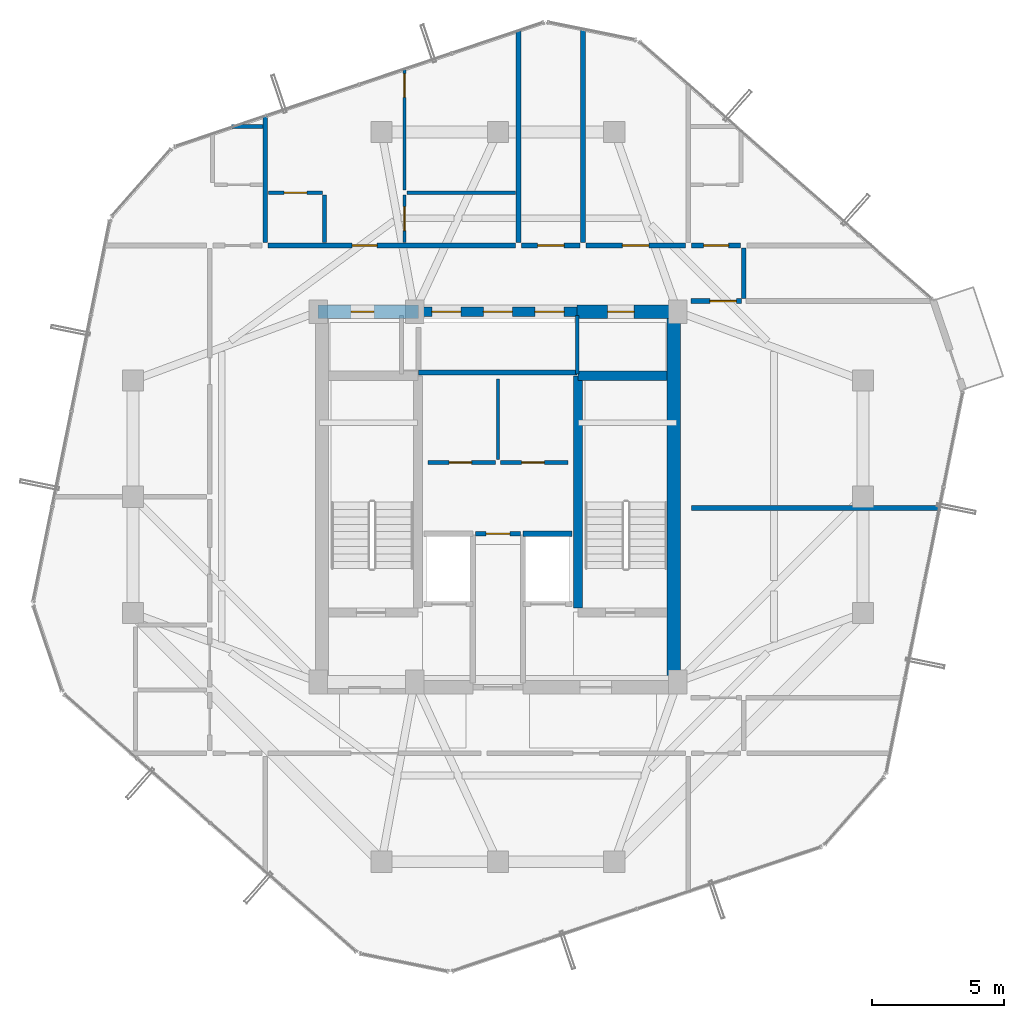
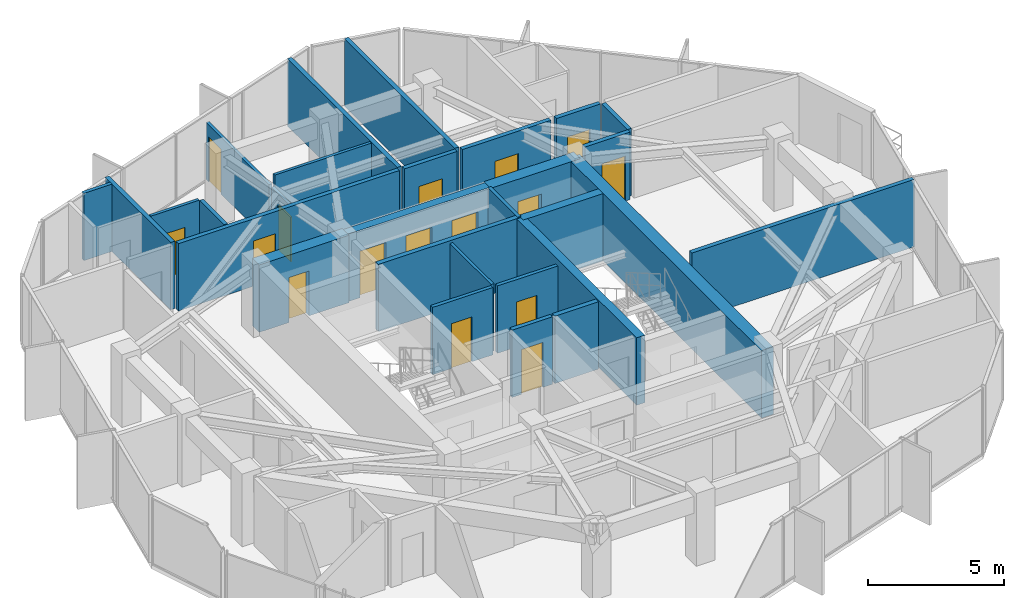
# One storey, part 25 of 28: 29 walls, 16 doors, 16 openings.
"""IFC4 building model written with IfcOpenShell, lengths in metres."""

from ifc_helpers import new_model, si_unit, direction, frame, frame_2d, origin, place, context, subcontext, project, spatial, rectangle, extrude, source, transform, mapped, material, layer, layer_set, type_object, element, fill, save


model = new_model("IFC4")

# Units and contexts
model_context = context("Model", 3, precision=1e-05, world=origin(), true_north=direction((0.0, 1.0)))
body_context = subcontext(model_context, "Body", "Model", "MODEL_VIEW")
ifc_project = project(units=[si_unit("LENGTHUNIT", "METRE"), si_unit("AREAUNIT", "SQUARE_METRE"), si_unit("VOLUMEUNIT", "CUBIC_METRE"), si_unit("PLANEANGLEUNIT", "RADIAN"), si_unit("MASSUNIT", "GRAM", prefix="KILO")], contexts=[model_context])

# Site, building, storey
site_placement = place(None, origin())
site = spatial("IfcSite", under=ifc_project, at=site_placement, CompositionType="ELEMENT")
building_placement = place(site_placement, origin())
building = spatial("IfcBuilding", under=site, at=building_placement, Name="Veraguas Prism Commons", CompositionType="ELEMENT")
storey_placement = place(building_placement, frame((0.0, 0.0, 248.0)))
storey = spatial("IfcBuildingStorey", under=building, at=storey_placement, Name="L70", CompositionType="ELEMENT", Elevation=248.0)

# Wall, openings, doors
ifc_material_1 = material(Name="Concrete C50/60", Category="concrete")
ifc_layer_1 = layer(ifc_material_1, 0.35009765625, Name="Core Internal Shear Wall Upper RC 350", Category="concrete")
ifc_layer_set_1 = layer_set([ifc_layer_1], Name="Concrete C50/60")
wall_type_1 = type_object("IfcWallType", Name="Core Internal Shear Wall Upper RC 350", PredefinedType="SHEAR", material=ifc_layer_set_1)
wall_1_placement = place(storey_placement, frame((21.0, 31.0, 0.0), z_axis=(0.0, 0.0, 1.0), x_axis=(1.0, 0.0, 0.0)))
wall_1 = element("IfcWall", 1, at=wall_1_placement, inside=storey, type_object=wall_type_1, Name="High-Rise Lift Bank Front Shear Wall L70", PredefinedType="SHEAR", context=body_context, shape_type="SweptSolid", body=[
    extrude(rectangle(XDim=6.0, YDim=0.35009765625, at=frame_2d((3.0, 0.0))), origin(), (0.0, 0.0, 1.0), 3.014892578125),
])
opening_1_placement = place(wall_1_placement, frame((0.5, 0.0, 0.0)))
opening_1 = element("IfcOpeningElement", 2, at=opening_1_placement, cuts=wall_1, Name="Opening LD-01", PredefinedType="OPENING", context=body_context, shape_type="SweptSolid", body=[
    extrude(rectangle(XDim=1.10009765625, YDim=2.080078125, at=frame_2d((0.550048828125, 1.0400390625))), frame((0.0, 0.18505859375, 0.0), z_axis=(0.0, -1.0, 0.0), x_axis=(1.0, 0.0, 0.0)), (0.0, 0.0, 1.0), 0.3701171875),
])
opening_2_placement = place(wall_1_placement, frame((2.449951171875, 0.0, 0.0)))
opening_2 = element("IfcOpeningElement", 3, at=opening_2_placement, cuts=wall_1, Name="Opening LD-01", PredefinedType="OPENING", context=body_context, shape_type="SweptSolid", body=[
    extrude(rectangle(XDim=1.10009765625, YDim=2.080078125, at=frame_2d((0.550048828125, 1.0400390625))), frame((0.0, 0.18505859375, 0.0), z_axis=(0.0, -1.0, 0.0), x_axis=(1.0, 0.0, 0.0)), (0.0, 0.0, 1.0), 0.3701171875),
])
opening_3_placement = place(wall_1_placement, frame((4.39990234375, 0.0, 0.0)))
opening_3 = element("IfcOpeningElement", 4, at=opening_3_placement, cuts=wall_1, Name="Opening LD-01", PredefinedType="OPENING", context=body_context, shape_type="SweptSolid", body=[
    extrude(rectangle(XDim=1.10009765625, YDim=2.080078125, at=frame_2d((0.550048828125, 1.0400390625))), frame((0.0, 0.18505859375, 0.0), z_axis=(0.0, -1.0, 0.0), x_axis=(1.0, 0.0, 0.0)), (0.0, 0.0, 1.0), 0.3701171875),
])
ifc_material_2 = material(Name="Stainless steel AISI 316", Category="steel")
door_type_1 = type_object("IfcDoorType", Name="Passenger Lift Sliding Landing Door 1100x2080", OperationType="NOTDEFINED", PredefinedType="DOOR", material=ifc_material_2)
shared_shape_1 = source(origin(), body_context, "Body", "SweptSolid", [
    extrude(rectangle(XDim=1.10009765625, YDim=2.080078125, at=frame_2d((0.550048828125, 1.0400390625))), frame((0.0, 0.02490234375, 0.0), z_axis=(0.0, -1.0, 0.0), x_axis=(1.0, 0.0, 0.0)), (0.0, 0.0, 1.0), 0.050048828125),
])
door_1_placement = place(opening_1_placement, origin())
door_1 = element("IfcDoor", 5, at=door_1_placement, inside=storey, type_object=door_type_1, Name="Sliding Landing Door PL-H1 L70", OperationType="SLIDING_TO_LEFT", OverallHeight=2.080078125, OverallWidth=1.10009765625, PredefinedType="DOOR", context=body_context, shape_type="MappedRepresentation", body=[
    mapped(shared_shape_1, transform((0.0, 0.0, 0.0), scale=1.0)),
])
fill(opening_1, door_1)
door_2_placement = place(opening_2_placement, origin())
door_2 = element("IfcDoor", 6, at=door_2_placement, inside=storey, type_object=door_type_1, Name="Sliding Landing Door PL-H2 L70", OperationType="SLIDING_TO_LEFT", OverallHeight=2.080078125, OverallWidth=1.10009765625, PredefinedType="DOOR", context=body_context, shape_type="MappedRepresentation", body=[
    mapped(shared_shape_1, transform((0.0, 0.0, 0.0), scale=1.0)),
])
fill(opening_2, door_2)
door_3_placement = place(opening_3_placement, origin())
door_3 = element("IfcDoor", 7, at=door_3_placement, inside=storey, type_object=door_type_1, Name="Sliding Landing Door PL-H3 L70", OperationType="SLIDING_TO_LEFT", OverallHeight=2.080078125, OverallWidth=1.10009765625, PredefinedType="DOOR", context=body_context, shape_type="MappedRepresentation", body=[
    mapped(shared_shape_1, transform((0.0, 0.0, 0.0), scale=1.0)),
])
fill(opening_3, door_3)

# Walls
wall_2_placement = place(storey_placement, frame((27.02490234375, 19.800048828125, 0.0), z_axis=(0.0, 0.0, 1.0), x_axis=(0.0, 1.0, 0.0)))
element("IfcWall", 8, at=wall_2_placement, inside=storey, type_object=wall_type_1, Name="Stair ST-02 Inner Shear Wall L70", PredefinedType="SHEAR", context=body_context, shape_type="SweptSolid", body=[
    extrude(rectangle(XDim=8.77490234375, YDim=0.35009765625, at=frame_2d((4.387451171875, 0.0))), origin(), (0.0, 0.0, 1.0), 3.014892578125),
])
wall_3_placement = place(storey_placement, frame((27.02490234375, 28.574951171875, 0.0), z_axis=(0.0, 0.0, 1.0), x_axis=(1.0, 0.0, 0.0)))
element("IfcWall", 9, at=wall_3_placement, inside=storey, type_object=wall_type_1, Name="Stair ST-02 North Shear Wall L70", PredefinedType="SHEAR", context=body_context, shape_type="SweptSolid", body=[
    extrude(rectangle(XDim=3.375, YDim=0.35009765625, at=frame_2d((1.6875, 0.0))), origin(), (0.0, 0.0, 1.0), 3.014892578125),
])
ifc_layer_2 = layer(ifc_material_1, 0.5, Name="Core Outer Shear Wall Upper RC 500", Category="concrete")
ifc_layer_set_2 = layer_set([ifc_layer_2], Name="Concrete C50/60")
wall_type_2 = type_object("IfcWallType", Name="Core Outer Shear Wall Upper RC 500", PredefinedType="SHEAR", material=ifc_layer_set_2)
wall_4_placement = place(storey_placement, frame((30.64990234375, 16.800048828125, 0.0), z_axis=(0.0, 0.0, 1.0), x_axis=(0.0, 1.0, 0.0)))
element("IfcWall", 10, at=wall_4_placement, inside=storey, type_object=wall_type_2, Name="Central Core East Shear Wall L70", PredefinedType="SHEAR", context=body_context, shape_type="SweptSolid", body=[
    extrude(rectangle(XDim=14.199951171875, YDim=0.5, at=frame_2d((7.10009765625, 0.0))), origin(), (0.0, 0.0, 1.0), 3.014892578125),
])

# Wall, opening, door
wall_5_placement = place(storey_placement, frame((17.199951171875, 31.0, 0.0), z_axis=(0.0, 0.0, 1.0), x_axis=(1.0, 0.0, 0.0)))
wall_5 = element("IfcWall", 11, at=wall_5_placement, inside=storey, type_object=wall_type_2, Name="Central Core North-West Shear Wall L70", PredefinedType="SHEAR", context=body_context, shape_type="SweptSolid", body=[
    extrude(rectangle(XDim=3.800048828125, YDim=0.5, at=frame_2d((1.89990234375, 0.0))), origin(), (0.0, 0.0, 1.0), 3.014892578125),
])
opening_4_placement = place(wall_5_placement, frame((1.25, 0.0, 0.0)))
opening_4 = element("IfcOpeningElement", 12, at=opening_4_placement, cuts=wall_5, Name="Opening DR-12", PredefinedType="OPENING", context=body_context, shape_type="SweptSolid", body=[
    extrude(rectangle(XDim=0.860107421875, YDim=2.010009765625, at=frame_2d((0.43017578125, 1.0048828125))), frame((0.0, 0.260009765625, 0.0), z_axis=(0.0, -1.0, 0.0), x_axis=(1.0, 0.0, 0.0)), (0.0, 0.0, 1.0), 0.52001953125),
])
ifc_material_3 = material(Name="Steel fire-rated door assembly", Category="steel")
door_type_2 = type_object("IfcDoorType", Name="Core WC Fire Door 860x2010", OperationType="NOTDEFINED", PredefinedType="DOOR", material=ifc_material_3)
shared_shape_2 = source(origin(), body_context, "Body", "SweptSolid", [
    extrude(rectangle(XDim=0.860107421875, YDim=2.010009765625, at=frame_2d((0.43017578125, 1.0048828125))), frame((0.0, 0.02490234375, 0.0), z_axis=(0.0, -1.0, 0.0), x_axis=(1.0, 0.0, 0.0)), (0.0, 0.0, 1.0), 0.050048828125),
])
door_4_placement = place(opening_4_placement, origin())
door_4 = element("IfcDoor", 13, at=door_4_placement, inside=storey, type_object=door_type_2, Name="Core NW Service Door L70", OperationType="SINGLE_SWING_RIGHT", OverallHeight=2.010009765625, OverallWidth=0.860107421875, PredefinedType="DOOR", context=body_context, shape_type="MappedRepresentation", body=[
    mapped(shared_shape_2, transform((0.0, 0.0, 0.0), scale=1.0)),
])
fill(opening_4, door_4)

wall_6_placement = place(storey_placement, frame((27.0, 31.0, 0.0), z_axis=(0.0, 0.0, 1.0), x_axis=(1.0, 0.0, 0.0)))
wall_6 = element("IfcWall", 14, at=wall_6_placement, inside=storey, type_object=wall_type_2, Name="Central Core North-East Shear Wall L70", PredefinedType="SHEAR", context=body_context, shape_type="SweptSolid", body=[
    extrude(rectangle(XDim=3.800048828125, YDim=0.5, at=frame_2d((1.89990234375, 0.0))), origin(), (0.0, 0.0, 1.0), 3.014892578125),
])
opening_5_placement = place(wall_6_placement, frame((1.14990234375, 0.0, 0.0)))
opening_5 = element("IfcOpeningElement", 15, at=opening_5_placement, cuts=wall_6, Name="Opening DR-13", PredefinedType="OPENING", context=body_context, shape_type="SweptSolid", body=[
    extrude(rectangle(XDim=1.0, YDim=2.010009765625, at=frame_2d((0.5, 1.0048828125))), frame((0.0, 0.260009765625, 0.0), z_axis=(0.0, -1.0, 0.0), x_axis=(1.0, 0.0, 0.0)), (0.0, 0.0, 1.0), 0.52001953125),
])
door_type_3 = type_object("IfcDoorType", Name="Core Accessible WC and Clinic Fire Door 1000x2010", OperationType="NOTDEFINED", PredefinedType="DOOR", material=ifc_material_3)
shared_shape_3 = source(origin(), body_context, "Body", "SweptSolid", [
    extrude(rectangle(XDim=1.0, YDim=2.010009765625, at=frame_2d((0.5, 1.0048828125))), frame((0.0, 0.02490234375, 0.0), z_axis=(0.0, -1.0, 0.0), x_axis=(1.0, 0.0, 0.0)), (0.0, 0.0, 1.0), 0.050048828125),
])
door_5_placement = place(opening_5_placement, origin())
door_5 = element("IfcDoor", 16, at=door_5_placement, inside=storey, type_object=door_type_3, Name="Core NE Pantry Door L70", OperationType="SINGLE_SWING_LEFT", OverallHeight=2.010009765625, OverallWidth=1.0, PredefinedType="DOOR", context=body_context, shape_type="MappedRepresentation", body=[
    mapped(shared_shape_3, transform((0.0, 0.0, 0.0), scale=1.0)),
])
fill(opening_5, door_5)

ifc_material_4 = material(Name="Autoclaved aerated masonry block 10 MPa", Category="masonry")
ifc_layer_3 = layer(ifc_material_4, 0.179931640625, Name="Corridor and Inter-Tenancy Partition 180", Category="masonry")
ifc_layer_set_3 = layer_set([ifc_layer_3], Name="Autoclaved aerated masonry block 10 MPa")
wall_type_3 = type_object("IfcWallType", Name="Corridor and Inter-Tenancy Partition 180", PredefinedType="PARTITIONING", material=ifc_layer_set_3)
wall_7_placement = place(storey_placement, frame((23.14990234375, 22.60009765625, 0.0), z_axis=(0.0, 0.0, 1.0), x_axis=(1.0, 0.0, 0.0)))
wall_7 = element("IfcWall", 17, at=wall_7_placement, inside=storey, type_object=wall_type_3, Name="Core Suite Entry Wall L70", PredefinedType="PARTITIONING", context=body_context, shape_type="SweptSolid", body=[
    extrude(rectangle(XDim=1.7001953125, YDim=0.179931640625, at=frame_2d((0.85009765625, 0.0))), origin(), (0.0, 0.0, 1.0), 3.014892578125),
])
opening_6_placement = place(wall_7_placement, frame((0.39990234375, 0.0, 0.0)))
opening_6 = element("IfcOpeningElement", 18, at=opening_6_placement, cuts=wall_7, Name="Opening DR-14", PredefinedType="OPENING", context=body_context, shape_type="SweptSolid", body=[
    extrude(rectangle(XDim=0.89990234375, YDim=2.010009765625, at=frame_2d((0.449951171875, 1.0048828125))), frame((0.0, 0.099853515625, 0.0), z_axis=(0.0, -1.0, 0.0), x_axis=(1.0, 0.0, 0.0)), (0.0, 0.0, 1.0), 0.199951171875),
])
door_type_4 = type_object("IfcDoorType", Name="Core Service Room Fire Door 900x2010", OperationType="NOTDEFINED", PredefinedType="DOOR", material=ifc_material_3)
shared_shape_4 = source(origin(), body_context, "Body", "SweptSolid", [
    extrude(rectangle(XDim=0.89990234375, YDim=2.010009765625, at=frame_2d((0.449951171875, 1.0048828125))), frame((0.0, 0.02490234375, 0.0), z_axis=(0.0, -1.0, 0.0), x_axis=(1.0, 0.0, 0.0)), (0.0, 0.0, 1.0), 0.050048828125),
])
door_6_placement = place(opening_6_placement, origin())
door_6 = element("IfcDoor", 19, at=door_6_placement, inside=storey, type_object=door_type_4, Name="Core Suite Entry Door L70", OperationType="SINGLE_SWING_RIGHT", OverallHeight=2.010009765625, OverallWidth=0.89990234375, PredefinedType="DOOR", context=body_context, shape_type="MappedRepresentation", body=[
    mapped(shared_shape_4, transform((0.0, 0.0, 0.0), scale=1.0)),
])
fill(opening_6, door_6)

# Wall
wall_8_placement = place(storey_placement, frame((15.199951171875, 33.6201171875, 0.0), z_axis=(0.0, 0.0, 1.0), x_axis=(0.0, 1.0, 0.0)))
element("IfcWall", 20, at=wall_8_placement, inside=storey, type_object=wall_type_3, Name="WL-L70-PT005", PredefinedType="PARTITIONING", context=body_context, shape_type="SweptSolid", body=[
    extrude(rectangle(XDim=4.809814453125, YDim=0.179931640625, at=frame_2d((2.40478515625, 0.0))), origin(), (0.0, 0.0, 1.0), 3.014892578125),
])

# Wall, opening, door
wall_9_placement = place(storey_placement, frame((15.31005859375, 33.5, 0.0), z_axis=(0.0, 0.0, 1.0), x_axis=(1.0, 0.0, 0.0)))
wall_9 = element("IfcWall", 21, at=wall_9_placement, inside=storey, type_object=wall_type_3, Name="WL-L70-PT007", PredefinedType="PARTITIONING", context=body_context, shape_type="SweptSolid", body=[
    extrude(rectangle(XDim=9.35986328125, YDim=0.179931640625, at=frame_2d((4.679931640625, 0.0))), origin(), (0.0, 0.0, 1.0), 3.014892578125),
])
opening_7_placement = place(wall_9_placement, frame((3.174560546875, 0.0, 0.0)))
opening_7 = element("IfcOpeningElement", 22, at=opening_7_placement, cuts=wall_9, Name="Opening DR-01", PredefinedType="OPENING", context=body_context, shape_type="SweptSolid", body=[
    extrude(rectangle(XDim=0.949951171875, YDim=2.02001953125, at=frame_2d((0.47509765625, 1.010009765625))), frame((0.0, 0.099853515625, 0.0), z_axis=(0.0, -1.0, 0.0), x_axis=(1.0, 0.0, 0.0)), (0.0, 0.0, 1.0), 0.199951171875),
])
ifc_material_5 = material(Name="Anodised aluminium EN AW-6063 T6", Category="aluminium")
door_type_5 = type_object("IfcDoorType", Name="Apartment Entrance Fire Door 950x2020", OperationType="NOTDEFINED", PredefinedType="DOOR", material=ifc_material_5)
shared_shape_5 = source(origin(), body_context, "Body", "SweptSolid", [
    extrude(rectangle(XDim=0.949951171875, YDim=2.02001953125, at=frame_2d((0.47509765625, 1.010009765625))), frame((0.0, 0.02490234375, 0.0), z_axis=(0.0, -1.0, 0.0), x_axis=(1.0, 0.0, 0.0)), (0.0, 0.0, 1.0), 0.050048828125),
])
door_7_placement = place(opening_7_placement, origin())
door_7 = element("IfcDoor", 23, at=door_7_placement, inside=storey, type_object=door_type_5, Name="Flat 70A Entrance Door", OperationType="SINGLE_SWING_LEFT", OverallHeight=2.02001953125, OverallWidth=0.949951171875, PredefinedType="DOOR", context=body_context, shape_type="MappedRepresentation", body=[
    mapped(shared_shape_5, transform((0.0, 0.0, 0.0), scale=1.0)),
])
fill(opening_7, door_7)

# Wall
wall_10_placement = place(storey_placement, frame((24.780029296875, 33.6201171875, 0.0), z_axis=(0.0, 0.0, 1.0), x_axis=(0.0, 1.0, 0.0)))
element("IfcWall", 24, at=wall_10_placement, inside=storey, type_object=wall_type_3, Name="WL-L70-PT013", PredefinedType="PARTITIONING", context=body_context, shape_type="SweptSolid", body=[
    extrude(rectangle(XDim=8.03759765625, YDim=0.179931640625, at=frame_2d((4.018798828125, 0.0))), origin(), (0.0, 0.0, 1.0), 3.014892578125),
])

# Wall, opening, door
wall_11_placement = place(storey_placement, frame((24.889892578125, 33.5, 0.0), z_axis=(0.0, 0.0, 1.0), x_axis=(1.0, 0.0, 0.0)))
wall_11 = element("IfcWall", 25, at=wall_11_placement, inside=storey, type_object=wall_type_3, Name="WL-L70-PT014", PredefinedType="PARTITIONING", context=body_context, shape_type="SweptSolid", body=[
    extrude(rectangle(XDim=2.22021484375, YDim=0.179931640625, at=frame_2d((1.110107421875, 0.0))), origin(), (0.0, 0.0, 1.0), 3.014892578125),
])
opening_8_placement = place(wall_11_placement, frame((0.610107421875, 0.0, 0.0)))
opening_8 = element("IfcOpeningElement", 26, at=opening_8_placement, cuts=wall_11, Name="Opening DR-13", PredefinedType="OPENING", context=body_context, shape_type="SweptSolid", body=[
    extrude(rectangle(XDim=1.0, YDim=2.010009765625, at=frame_2d((0.5, 1.0048828125))), frame((0.0, 0.099853515625, 0.0), z_axis=(0.0, -1.0, 0.0), x_axis=(1.0, 0.0, 0.0)), (0.0, 0.0, 1.0), 0.199951171875),
])
door_8_placement = place(opening_8_placement, origin())
door_8 = element("IfcDoor", 27, at=door_8_placement, inside=storey, type_object=door_type_3, Name="Residents Study Room Door", OperationType="SINGLE_SWING_LEFT", OverallHeight=2.010009765625, OverallWidth=1.0, PredefinedType="DOOR", context=body_context, shape_type="MappedRepresentation", body=[
    mapped(shared_shape_3, transform((0.0, 0.0, 0.0), scale=1.0)),
])
fill(opening_8, door_8)

wall_12_placement = place(storey_placement, frame((27.330078125, 33.5, 0.0), z_axis=(0.0, 0.0, 1.0), x_axis=(1.0, 0.0, 0.0)))
wall_12 = element("IfcWall", 28, at=wall_12_placement, inside=storey, type_object=wall_type_3, Name="WL-L70-PT015", PredefinedType="PARTITIONING", context=body_context, shape_type="SweptSolid", body=[
    extrude(rectangle(XDim=3.760009765625, YDim=0.179931640625, at=frame_2d((1.8798828125, 0.0))), origin(), (0.0, 0.0, 1.0), 3.014892578125),
])
opening_9_placement = place(wall_12_placement, frame((1.3798828125, 0.0, 0.0)))
opening_9 = element("IfcOpeningElement", 29, at=opening_9_placement, cuts=wall_12, Name="Opening DR-13", PredefinedType="OPENING", context=body_context, shape_type="SweptSolid", body=[
    extrude(rectangle(XDim=1.0, YDim=2.010009765625, at=frame_2d((0.5, 1.0048828125))), frame((0.0, 0.099853515625, 0.0), z_axis=(0.0, -1.0, 0.0), x_axis=(1.0, 0.0, 0.0)), (0.0, 0.0, 1.0), 0.199951171875),
])
door_9_placement = place(opening_9_placement, origin())
door_9 = element("IfcDoor", 30, at=door_9_placement, inside=storey, type_object=door_type_3, Name="Co-op Store N Door", OperationType="SINGLE_SWING_RIGHT", OverallHeight=2.010009765625, OverallWidth=1.0, PredefinedType="DOOR", context=body_context, shape_type="MappedRepresentation", body=[
    mapped(shared_shape_3, transform((0.0, 0.0, 0.0), scale=1.0)),
])
fill(opening_9, door_9)

# Walls
wall_13_placement = place(storey_placement, frame((27.219970703125, 33.6201171875, 0.0), z_axis=(0.0, 0.0, 1.0), x_axis=(0.0, 1.0, 0.0)))
element("IfcWall", 31, at=wall_13_placement, inside=storey, type_object=wall_type_3, Name="WL-L70-PT016", PredefinedType="PARTITIONING", context=body_context, shape_type="SweptSolid", body=[
    extrude(rectangle(XDim=8.094482421875, YDim=0.179931640625, at=frame_2d((4.04736328125, 0.0))), origin(), (0.0, 0.0, 1.0), 3.014892578125),
])
wall_14_placement = place(storey_placement, frame((31.320068359375, 23.574951171875, 0.0), z_axis=(0.0, 0.0, 1.0), x_axis=(1.0, 0.0, 0.0)))
element("IfcWall", 32, at=wall_14_placement, inside=storey, type_object=wall_type_3, Name="WL-L70-PT028", PredefinedType="PARTITIONING", context=body_context, shape_type="SweptSolid", body=[
    extrude(rectangle(XDim=9.409423828125, YDim=0.179931640625, at=frame_2d((4.70458984375, 0.0))), origin(), (0.0, 0.0, 1.0), 3.014892578125),
])
wall_15_placement = place(storey_placement, frame((33.300048828125, 31.5, 0.0), z_axis=(0.0, 0.0, 1.0), x_axis=(0.0, 1.0, 0.0)))
element("IfcWall", 33, at=wall_15_placement, inside=storey, type_object=wall_type_3, Name="WL-L70-PT030", PredefinedType="PARTITIONING", context=body_context, shape_type="SweptSolid", body=[
    extrude(rectangle(XDim=1.89990234375, YDim=0.179931640625, at=frame_2d((0.949951171875, 0.0))), origin(), (0.0, 0.0, 1.0), 3.014892578125),
])

# Wall, opening, door
wall_16_placement = place(storey_placement, frame((31.300048828125, 31.39990234375, 0.0), z_axis=(0.0, 0.0, 1.0), x_axis=(1.0, 0.0, 0.0)))
wall_16 = element("IfcWall", 34, at=wall_16_placement, inside=storey, type_object=wall_type_3, Name="WL-L70-PT033", PredefinedType="PARTITIONING", context=body_context, shape_type="SweptSolid", body=[
    extrude(rectangle(XDim=1.919921875, YDim=0.179931640625, at=frame_2d((0.9599609375, 0.0))), origin(), (0.0, 0.0, 1.0), 3.014892578125),
])
opening_10_placement = place(wall_16_placement, frame((0.719970703125, 0.0, 0.0)))
opening_10 = element("IfcOpeningElement", 35, at=opening_10_placement, cuts=wall_16, Name="Opening DR-13", PredefinedType="OPENING", context=body_context, shape_type="SweptSolid", body=[
    extrude(rectangle(XDim=1.0, YDim=2.010009765625, at=frame_2d((0.5, 1.0048828125))), frame((0.0, 0.099853515625, 0.0), z_axis=(0.0, -1.0, 0.0), x_axis=(1.0, 0.0, 0.0)), (0.0, 0.0, 1.0), 0.199951171875),
])
door_10_placement = place(opening_10_placement, origin())
door_10 = element("IfcDoor", 36, at=door_10_placement, inside=storey, type_object=door_type_3, Name="Study Salon Door L70", OperationType="SINGLE_SWING_RIGHT", OverallHeight=2.010009765625, OverallWidth=1.0, PredefinedType="DOOR", context=body_context, shape_type="MappedRepresentation", body=[
    mapped(shared_shape_3, transform((0.0, 0.0, 0.0), scale=1.0)),
])
fill(opening_10, door_10)

wall_17_placement = place(storey_placement, frame((31.320068359375, 33.5, 0.0), z_axis=(0.0, 0.0, 1.0), x_axis=(1.0, 0.0, 0.0)))
wall_17 = element("IfcWall", 37, at=wall_17_placement, inside=storey, type_object=wall_type_3, Name="WL-L70-PT043", PredefinedType="PARTITIONING", context=body_context, shape_type="SweptSolid", body=[
    extrude(rectangle(XDim=1.85986328125, YDim=0.179931640625, at=frame_2d((0.929931640625, 0.0))), origin(), (0.0, 0.0, 1.0), 3.014892578125),
])
opening_11_placement = place(wall_17_placement, frame((0.455078125, 0.0, 0.0)))
opening_11 = element("IfcOpeningElement", 38, at=opening_11_placement, cuts=wall_17, Name="Opening DR-01", PredefinedType="OPENING", context=body_context, shape_type="SweptSolid", body=[
    extrude(rectangle(XDim=0.949951171875, YDim=2.02001953125, at=frame_2d((0.47509765625, 1.010009765625))), frame((0.0, 0.099853515625, 0.0), z_axis=(0.0, -1.0, 0.0), x_axis=(1.0, 0.0, 0.0)), (0.0, 0.0, 1.0), 0.199951171875),
])
door_11_placement = place(opening_11_placement, origin())
door_11 = element("IfcDoor", 39, at=door_11_placement, inside=storey, type_object=door_type_5, Name="Studio 70C Entrance Door", OperationType="SINGLE_SWING_LEFT", OverallHeight=2.02001953125, OverallWidth=0.949951171875, PredefinedType="DOOR", context=body_context, shape_type="MappedRepresentation", body=[
    mapped(shared_shape_5, transform((0.0, 0.0, 0.0), scale=1.0)),
])
fill(opening_11, door_11)

# Wall
ifc_material_6 = material(Name="Lightweight acoustic gypsum board")
ifc_layer_4 = layer(ifc_material_6, 0.125, Name="Internal Apartment Room Partition 125")
ifc_layer_set_4 = layer_set([ifc_layer_4], Name="Lightweight acoustic gypsum board")
wall_type_4 = type_object("IfcWallType", Name="Internal Apartment Room Partition 125", PredefinedType="PARTITIONING", material=ifc_layer_set_4)
wall_18_placement = place(storey_placement, frame((24.0, 25.419921875, 0.0), z_axis=(0.0, 0.0, 1.0), x_axis=(0.0, 1.0, 0.0)))
element("IfcWall", 40, at=wall_18_placement, inside=storey, type_object=wall_type_4, Name="WL-L70-FRWVM", PredefinedType="PARTITIONING", context=body_context, shape_type="SweptSolid", body=[
    extrude(rectangle(XDim=3.030029296875, YDim=0.125, at=frame_2d((1.51513671875, 0.0))), origin(), (0.0, 0.0, 1.0), 3.014892578125),
])

# Wall, opening, door
wall_19_placement = place(storey_placement, frame((15.320068359375, 35.5, 0.0), z_axis=(0.0, 0.0, 1.0), x_axis=(1.0, 0.0, 0.0)))
wall_19 = element("IfcWall", 41, at=wall_19_placement, inside=storey, type_object=wall_type_4, Name="WL-L70-PT009", PredefinedType="PARTITIONING", context=body_context, shape_type="SweptSolid", body=[
    extrude(rectangle(XDim=2.050048828125, YDim=0.125, at=frame_2d((1.02490234375, 0.0))), origin(), (0.0, 0.0, 1.0), 3.014892578125),
])
opening_12_placement = place(wall_19_placement, frame((0.594970703125, 0.0, 0.0)))
opening_12 = element("IfcOpeningElement", 42, at=opening_12_placement, cuts=wall_19, Name="Opening DR-03", PredefinedType="OPENING", context=body_context, shape_type="SweptSolid", body=[
    extrude(rectangle(XDim=0.860107421875, YDim=2.010009765625, at=frame_2d((0.43017578125, 1.0048828125))), frame((0.0, 0.072509765625, 0.0), z_axis=(0.0, -1.0, 0.0), x_axis=(1.0, 0.0, 0.0)), (0.0, 0.0, 1.0), 0.14501953125),
])
ifc_material_7 = material(Name="Timber moisture-resistant leaf", Category="wood")
door_type_6 = type_object("IfcDoorType", Name="Internal Bathroom Door 860x2010", OperationType="NOTDEFINED", PredefinedType="DOOR", material=ifc_material_7)
door_12_placement = place(opening_12_placement, origin())
door_12 = element("IfcDoor", 43, at=door_12_placement, inside=storey, type_object=door_type_6, Name="Flat 70A Bathroom Door", OperationType="SINGLE_SWING_RIGHT", OverallHeight=2.010009765625, OverallWidth=0.860107421875, PredefinedType="DOOR", context=body_context, shape_type="MappedRepresentation", body=[
    mapped(shared_shape_2, transform((0.0, 0.0, 0.0), scale=1.0)),
])
fill(opening_12, door_12)

wall_20_placement = place(storey_placement, frame((20.468994140625, 33.6201171875, 0.0), z_axis=(0.0, 0.0, 1.0), x_axis=(0.0, 1.0, 0.0)))
wall_20 = element("IfcWall", 44, at=wall_20_placement, inside=storey, type_object=wall_type_4, Name="WL-L70-PT010", PredefinedType="PARTITIONING", context=body_context, shape_type="SweptSolid", body=[
    extrude(rectangle(XDim=1.7998046875, YDim=0.125, at=frame_2d((0.89990234375, 0.0))), origin(), (0.0, 0.0, 1.0), 2.54296875),
])
opening_13_placement = place(wall_20_placement, frame((0.449951171875, 0.0, 0.0)))
opening_13 = element("IfcOpeningElement", 45, at=opening_13_placement, cuts=wall_20, Name="Opening DR-02", PredefinedType="OPENING", context=body_context, shape_type="SweptSolid", body=[
    extrude(rectangle(XDim=0.89990234375, YDim=2.010009765625, at=frame_2d((0.449951171875, 1.0048828125))), frame((0.0, 0.072509765625, 0.0), z_axis=(0.0, -1.0, 0.0), x_axis=(1.0, 0.0, 0.0)), (0.0, 0.0, 1.0), 0.14501953125),
])
ifc_material_8 = material(Name="Timber solid core hardwood", Category="wood")
door_type_7 = type_object("IfcDoorType", Name="Internal Habitable Room Door 900x2010", OperationType="NOTDEFINED", PredefinedType="DOOR", material=ifc_material_8)
door_13_placement = place(opening_13_placement, origin())
door_13 = element("IfcDoor", 46, at=door_13_placement, inside=storey, type_object=door_type_7, Name="Flat 70A Kitchen Door", OperationType="SINGLE_SWING_LEFT", OverallHeight=2.010009765625, OverallWidth=0.89990234375, PredefinedType="DOOR", context=body_context, shape_type="MappedRepresentation", body=[
    mapped(shared_shape_4, transform((0.0, 0.0, 0.0), scale=1.0)),
])
fill(opening_13, door_13)

# Wall
wall_21_placement = place(storey_placement, frame((20.569091796875, 35.5, 0.0), z_axis=(0.0, 0.0, 1.0), x_axis=(1.0, 0.0, 0.0)))
element("IfcWall", 47, at=wall_21_placement, inside=storey, type_object=wall_type_4, Name="WL-L70-PT011", PredefinedType="PARTITIONING", context=body_context, shape_type="SweptSolid", body=[
    extrude(rectangle(XDim=4.0908203125, YDim=0.125, at=frame_2d((2.04541015625, 0.0))), origin(), (0.0, 0.0, 1.0), 3.014892578125),
])

# Wall, opening, door
wall_22_placement = place(storey_placement, frame((20.468994140625, 35.60009765625, 0.0), z_axis=(0.0, 0.0, 1.0), x_axis=(0.0, 1.0, 0.0)))
wall_22 = element("IfcWall", 48, at=wall_22_placement, inside=storey, type_object=wall_type_4, Name="WL-L70-PT012", PredefinedType="PARTITIONING", context=body_context, shape_type="SweptSolid", body=[
    extrude(rectangle(XDim=4.605224609375, YDim=0.125, at=frame_2d((2.302734375, 0.0))), origin(), (0.0, 0.0, 1.0), 2.54296875),
])
opening_14_placement = place(wall_22_placement, frame((3.50537109375, 0.0, 0.0)))
opening_14 = element("IfcOpeningElement", 49, at=opening_14_placement, cuts=wall_22, Name="Opening DR-02", PredefinedType="OPENING", context=body_context, shape_type="SweptSolid", body=[
    extrude(rectangle(XDim=0.89990234375, YDim=2.010009765625, at=frame_2d((0.449951171875, 1.0048828125))), frame((0.0, 0.072509765625, 0.0), z_axis=(0.0, -1.0, 0.0), x_axis=(1.0, 0.0, 0.0)), (0.0, 0.0, 1.0), 0.14501953125),
])
door_14_placement = place(opening_14_placement, origin())
door_14 = element("IfcDoor", 50, at=door_14_placement, inside=storey, type_object=door_type_7, Name="Flat 70A Bedroom 1 Door", OperationType="SINGLE_SWING_RIGHT", OverallHeight=2.010009765625, OverallWidth=0.89990234375, PredefinedType="DOOR", context=body_context, shape_type="MappedRepresentation", body=[
    mapped(shared_shape_4, transform((0.0, 0.0, 0.0), scale=1.0)),
])
fill(opening_14, door_14)

# Walls
ifc_layer_5 = layer(ifc_material_4, 0.199951171875, Name="Rated Shaft and Lobby Block Wall 200", Category="masonry")
ifc_layer_set_5 = layer_set([ifc_layer_5], Name="Autoclaved aerated masonry block 10 MPa")
wall_type_5 = type_object("IfcWallType", Name="Rated Shaft and Lobby Block Wall 200", PredefinedType="SOLIDWALL", material=ifc_layer_set_5)
wall_23_placement = place(storey_placement, frame((24.949951171875, 22.60009765625, 0.0), z_axis=(0.0, 0.0, 1.0), x_axis=(1.0, 0.0, 0.0)))
element("IfcWall", 51, at=wall_23_placement, inside=storey, type_object=wall_type_5, Name="Firefighting Lift FFL-2 Rear Wall L70", PredefinedType="SOLIDWALL", context=body_context, shape_type="SweptSolid", body=[
    extrude(rectangle(XDim=1.85009765625, YDim=0.199951171875, at=frame_2d((0.925048828125, 0.0))), origin(), (0.0, 0.0, 1.0), 3.014892578125),
])
wall_24_placement = place(storey_placement, frame((21.0, 28.699951171875, 0.0), z_axis=(0.0, 0.0, 1.0), x_axis=(1.0, 0.0, 0.0)))
element("IfcWall", 52, at=wall_24_placement, inside=storey, type_object=wall_type_5, Name="High-Rise Lift Bank Rear Shaft Wall L70", PredefinedType="SOLIDWALL", context=body_context, shape_type="SweptSolid", body=[
    extrude(rectangle(XDim=6.0, YDim=0.199951171875, at=frame_2d((3.0, 0.0))), origin(), (0.0, 0.0, 1.0), 3.014892578125),
])
ifc_layer_6 = layer(ifc_material_6, 0.14990234375, Name="Wet Room and Clinic Acoustic Partition 150")
ifc_layer_set_6 = layer_set([ifc_layer_6], Name="Lightweight acoustic gypsum board")
wall_type_6 = type_object("IfcWallType", Name="Wet Room and Clinic Acoustic Partition 150", PredefinedType="PARTITIONING", material=ifc_layer_set_6)
wall_25_placement = place(storey_placement, frame((27.0, 28.64990234375, 0.0), z_axis=(0.0, 0.0, 1.0), x_axis=(0.0, 1.0, 0.0)))
element("IfcWall", 53, at=wall_25_placement, inside=storey, type_object=wall_type_6, Name="Core NE Service Inner Wall L70", PredefinedType="PARTITIONING", context=body_context, shape_type="SweptSolid", body=[
    extrude(rectangle(XDim=2.2001953125, YDim=0.14990234375, at=frame_2d((1.10009765625, 0.0))), origin(), (0.0, 0.0, 1.0), 3.014892578125),
])

# Wall, opening, door
wall_26_placement = place(storey_placement, frame((21.35009765625, 25.300048828125, 0.0), z_axis=(0.0, 0.0, 1.0), x_axis=(1.0, 0.0, 0.0)))
wall_26 = element("IfcWall", 54, at=wall_26_placement, inside=storey, type_object=wall_type_6, Name="WL-L70-FRWH1", PredefinedType="PARTITIONING", context=body_context, shape_type="SweptSolid", body=[
    extrude(rectangle(XDim=2.5498046875, YDim=0.14990234375, at=frame_2d((1.27490234375, 0.0))), origin(), (0.0, 0.0, 1.0), 3.014892578125),
])
opening_15_placement = place(wall_26_placement, frame((0.800048828125, 0.0, 0.0)))
opening_15 = element("IfcOpeningElement", 55, at=opening_15_placement, cuts=wall_26, Name="Opening DR-12", PredefinedType="OPENING", context=body_context, shape_type="SweptSolid", body=[
    extrude(rectangle(XDim=0.860107421875, YDim=2.010009765625, at=frame_2d((0.43017578125, 1.0048828125))), frame((0.0, 0.0849609375, 0.0), z_axis=(0.0, -1.0, 0.0), x_axis=(1.0, 0.0, 0.0)), (0.0, 0.0, 1.0), 0.169921875),
])
door_15_placement = place(opening_15_placement, origin())
door_15 = element("IfcDoor", 56, at=door_15_placement, inside=storey, type_object=door_type_2, Name="Quiet Study Door L70", OperationType="SINGLE_SWING_LEFT", OverallHeight=2.010009765625, OverallWidth=0.860107421875, PredefinedType="DOOR", context=body_context, shape_type="MappedRepresentation", body=[
    mapped(shared_shape_2, transform((0.0, 0.0, 0.0), scale=1.0)),
])
fill(opening_15, door_15)

wall_27_placement = place(storey_placement, frame((24.10009765625, 25.300048828125, 0.0), z_axis=(0.0, 0.0, 1.0), x_axis=(1.0, 0.0, 0.0)))
wall_27 = element("IfcWall", 57, at=wall_27_placement, inside=storey, type_object=wall_type_6, Name="WL-L70-FRWH2", PredefinedType="PARTITIONING", context=body_context, shape_type="SweptSolid", body=[
    extrude(rectangle(XDim=2.5498046875, YDim=0.14990234375, at=frame_2d((1.27490234375, 0.0))), origin(), (0.0, 0.0, 1.0), 3.014892578125),
])
opening_16_placement = place(wall_27_placement, frame((0.800048828125, 0.0, 0.0)))
opening_16 = element("IfcOpeningElement", 58, at=opening_16_placement, cuts=wall_27, Name="Opening DR-12", PredefinedType="OPENING", context=body_context, shape_type="SweptSolid", body=[
    extrude(rectangle(XDim=0.860107421875, YDim=2.010009765625, at=frame_2d((0.43017578125, 1.0048828125))), frame((0.0, 0.0849609375, 0.0), z_axis=(0.0, -1.0, 0.0), x_axis=(1.0, 0.0, 0.0)), (0.0, 0.0, 1.0), 0.169921875),
])
door_16_placement = place(opening_16_placement, origin())
door_16 = element("IfcDoor", 59, at=door_16_placement, inside=storey, type_object=door_type_2, Name="Housekeeping Store Door L70", OperationType="SINGLE_SWING_RIGHT", OverallHeight=2.010009765625, OverallWidth=0.860107421875, PredefinedType="DOOR", context=body_context, shape_type="MappedRepresentation", body=[
    mapped(shared_shape_2, transform((0.0, 0.0, 0.0), scale=1.0)),
])
fill(opening_16, door_16)

# Walls
wall_28_placement = place(storey_placement, frame((17.449951171875, 33.6201171875, 0.0), z_axis=(0.0, 0.0, 1.0), x_axis=(0.0, 1.0, 0.0)))
element("IfcWall", 60, at=wall_28_placement, inside=storey, type_object=wall_type_6, Name="WL-L70-PT008", PredefinedType="PARTITIONING", context=body_context, shape_type="SweptSolid", body=[
    extrude(rectangle(XDim=1.7998046875, YDim=0.14990234375, at=frame_2d((0.89990234375, 0.0))), origin(), (0.0, 0.0, 1.0), 3.014892578125),
])
wall_29_placement = place(storey_placement, frame((13.923583984375, 38.0, 0.0), z_axis=(0.0, 0.0, 1.0), x_axis=(1.0, 0.0, 0.0)))
element("IfcWall", 61, at=wall_29_placement, inside=storey, type_object=wall_type_6, Name="WL-L70-PT040", PredefinedType="PARTITIONING", context=body_context, shape_type="SweptSolid", body=[
    extrude(rectangle(XDim=1.196533203125, YDim=0.14990234375, at=frame_2d((0.59814453125, 0.0))), origin(), (0.0, 0.0, 1.0), 3.014892578125),
])

save(model, "model.ifc")
